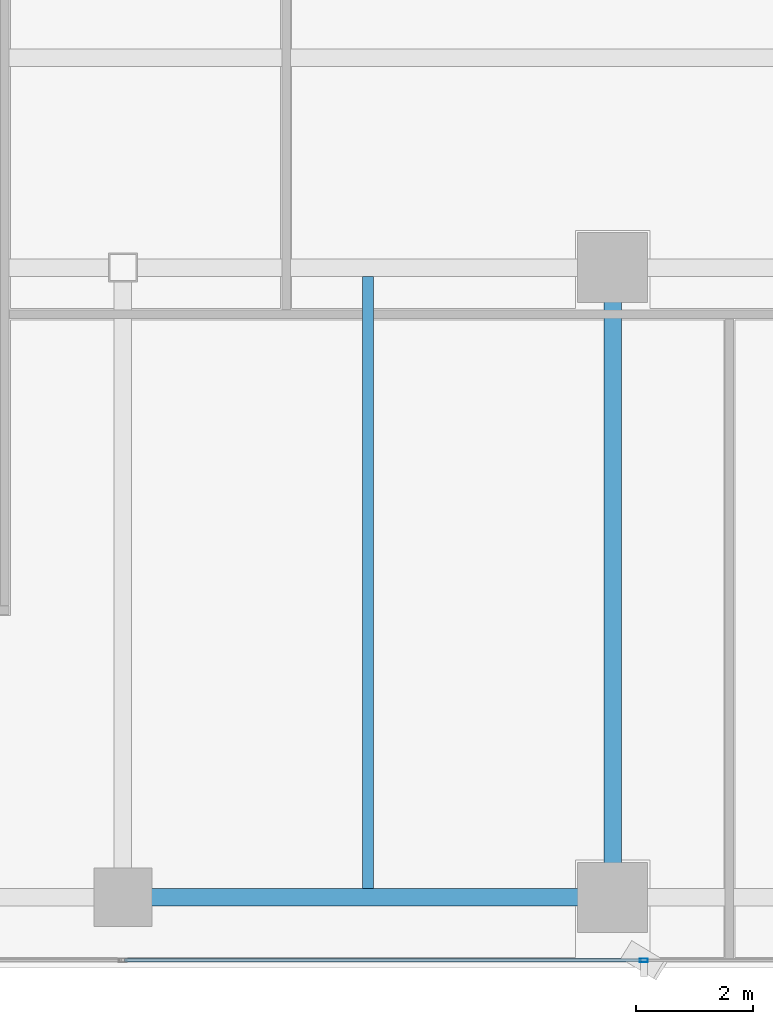
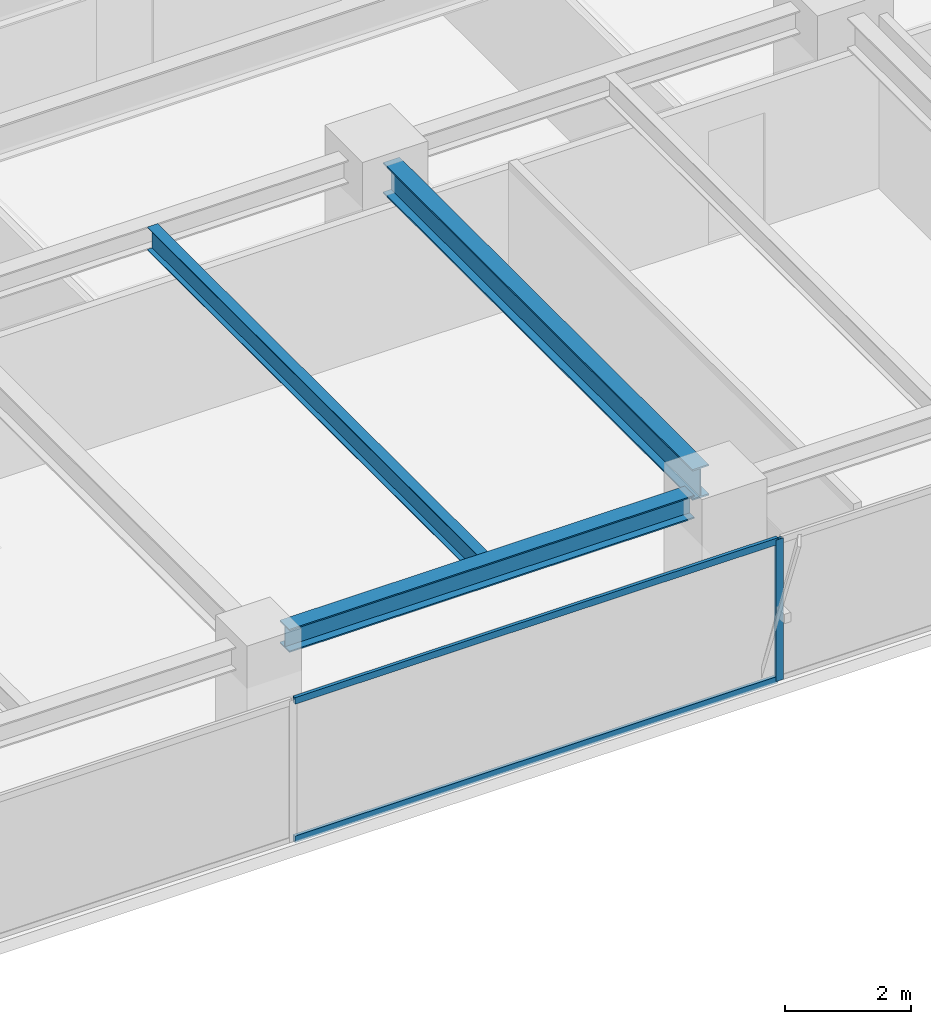
# One storey, part 7 of 26: 3 beams, 3 members, 1 element without a shape of its own.
"""IFC4 building model written with IfcOpenShell, lengths in metres."""

import ifcopenshell
import ifcopenshell.guid

model = None  # the IFC model being written
_history = None  # IfcOwnerHistory: only IFC2X3 demands one
_inside = {}  # id of a spatial element -> (the spatial element, [elements in it])
_under = {}  # id of a project, library or spatial element -> (it, [spatial elements below it])
_declared = {}  # id of a project -> (the project, [libraries it declares])
_typed = {}  # id of a type object -> (the type object, [elements of that type])
_made_of = {}  # id of a material, layer set ... -> (it, [elements and type objects made of it])


def new_model(schema):
    """Start an empty IFC model of exactly this schema.

    Asked for "IFC4X3", IfcOpenShell would pick the latest addendum, in which some entities
    have other attributes; the version numbers below select the first issue.
    IFC2X3 requires an IfcOwnerHistory on every rooted entity: one is made here for all.
    """
    global model, _history
    if schema == "IFC4X3":
        model = ifcopenshell.file(schema_version=(4, 3, 0, 0))
    else:
        model = ifcopenshell.file(schema=schema)
    _inside.clear()
    _under.clear()
    _declared.clear()
    _typed.clear()
    _made_of.clear()
    _history = None
    if model.schema == "IFC2X3":
        org = make("IfcOrganization", Name="unknown")
        user = make(
            "IfcPersonAndOrganization",
            ThePerson=make("IfcPerson", FamilyName="unknown"),
            TheOrganization=org,
        )
        app = make(
            "IfcApplication",
            ApplicationDeveloper=org,
            Version="unknown",
            ApplicationFullName="unknown",
            ApplicationIdentifier="unknown",
        )
        _history = make(
            "IfcOwnerHistory",
            OwningUser=user,
            OwningApplication=app,
            ChangeAction="ADDED",
            CreationDate=0,
        )
    return model


def make(cls, **values):
    """One entity of the class cls with the attributes given. An attribute that is None is left unset."""
    return model.create_entity(
        cls, **{name: value for name, value in values.items() if value is not None}
    )


def rooted(cls, **values):
    """An entity with a GlobalId (a new one), such as an element, a storey or a relation."""
    return make(cls, GlobalId=ifcopenshell.guid.new(), OwnerHistory=_history, **values)


def si_unit(unit_type, name, prefix=None):
    """IfcSIUnit, for example si_unit("LENGTHUNIT", "METRE", prefix="MILLI")."""
    return make("IfcSIUnit", UnitType=unit_type, Prefix=prefix, Name=name)


def assignment(units):
    """IfcUnitAssignment: the units of a project."""
    return None if units is None else make("IfcUnitAssignment", Units=units)


def point(xyz):
    """IfcCartesianPoint."""
    return None if xyz is None else make("IfcCartesianPoint", Coordinates=xyz)


def direction(xyz):
    """IfcDirection."""
    return None if xyz is None else make("IfcDirection", DirectionRatios=xyz)


def frame(location, z_axis=None, x_axis=None):
    """IfcAxis2Placement3D, a coordinate frame: its origin and axes. An axis left out is left unset."""
    return make(
        "IfcAxis2Placement3D",
        Location=point(location),
        Axis=direction(z_axis),
        RefDirection=direction(x_axis),
    )


def frame_2d(location, x_axis=None):
    """IfcAxis2Placement2D, a coordinate frame in the plane: its origin and x axis."""
    return make(
        "IfcAxis2Placement2D", Location=point(location), RefDirection=direction(x_axis)
    )


def origin():
    """The frame at (0, 0, 0) with its axes left unset."""
    return frame((0.0, 0.0, 0.0))


def origin_2d():
    """The frame at (0, 0) in the plane with its x axis left unset."""
    return frame_2d((0.0, 0.0))


def place(relative_to, where):
    """IfcLocalPlacement: puts the frame where relative to a parent placement (None: the world)."""
    return make(
        "IfcLocalPlacement", PlacementRelTo=relative_to, RelativePlacement=where
    )


def context(
    kind, dimensions, precision=None, world=None, true_north=None, identifier=None
):
    """IfcGeometricRepresentationContext, for example the 3D "Model" context."""
    return make(
        "IfcGeometricRepresentationContext",
        ContextIdentifier=identifier,
        ContextType=kind,
        CoordinateSpaceDimension=dimensions,
        Precision=precision,
        WorldCoordinateSystem=world,
        TrueNorth=true_north,
    )


def subcontext(parent, identifier, kind, view, scale=None):
    """IfcGeometricRepresentationSubContext, for example "Body" below "Model"."""
    return make(
        "IfcGeometricRepresentationSubContext",
        ContextIdentifier=identifier,
        ContextType=kind,
        ParentContext=parent,
        TargetScale=scale,
        TargetView=view,
    )


def project(units=None, contexts=None):
    """IfcProject with its units and contexts."""
    return rooted(
        "IfcProject",
        Name="project",
        RepresentationContexts=contexts,
        UnitsInContext=assignment(units),
    )


def spatial(cls, under=None, at=None, **own):
    """A site, building, storey or space (cls), placed at a placement, below another one or the project."""
    s = rooted(cls, ObjectPlacement=at, **own)
    if under is not None:
        _under.setdefault(under.id(), (under, []))[1].append(s)
    return s


def profile(cls, at=None, kind="AREA", **sizes):
    """A parametric profile (cls). Its sizes go by their IFC names, for example OverallWidth=200.0."""
    return make(cls, ProfileType=kind, Position=at, **sizes)


def hollow_rectangle(**sizes):
    """IfcRectangleHollowProfileDef."""
    return profile("IfcRectangleHollowProfileDef", **sizes)


def i_section(**sizes):
    """IfcIShapeProfileDef."""
    return profile("IfcIShapeProfileDef", **sizes)


def extrude(swept, where, along, depth):
    """IfcExtrudedAreaSolid: the profile swept, set in the frame where, extruded along a direction by depth."""
    return make(
        "IfcExtrudedAreaSolid",
        SweptArea=swept,
        Position=where,
        ExtrudedDirection=direction(along),
        Depth=depth,
    )


def shape(context_of_items, identifier, shape_type, items):
    """IfcShapeRepresentation: the items that make up one representation, for example the "Body"."""
    return make(
        "IfcShapeRepresentation",
        ContextOfItems=context_of_items,
        RepresentationIdentifier=identifier,
        RepresentationType=shape_type,
        Items=items,
    )


def source(mapping_origin, context_of_items, identifier, shape_type, items):
    """IfcRepresentationMap: a shape defined once, which mapped items show again and again."""
    return make(
        "IfcRepresentationMap",
        MappingOrigin=mapping_origin,
        MappedRepresentation=shape(context_of_items, identifier, shape_type, items),
    )


def transform(
    local_origin,
    x_axis=None,
    y_axis=None,
    z_axis=None,
    scale=None,
    scale2=None,
    scale3=None,
    uniform=True,
):
    """IfcCartesianTransformationOperator3D, or its non-uniform kind. x_axis, y_axis, z_axis: its Axis1, 2, 3."""
    if uniform:
        return make(
            "IfcCartesianTransformationOperator3D",
            Axis1=direction(x_axis),
            Axis2=direction(y_axis),
            LocalOrigin=point(local_origin),
            Scale=scale,
            Axis3=direction(z_axis),
        )
    return make(
        "IfcCartesianTransformationOperator3DnonUniform",
        Axis1=direction(x_axis),
        Axis2=direction(y_axis),
        LocalOrigin=point(local_origin),
        Scale=scale,
        Axis3=direction(z_axis),
        Scale2=scale2,
        Scale3=scale3,
    )


def mapped(mapping_source, mapping_target):
    """IfcMappedItem: shows the shape of a source again, moved by a transform."""
    return make(
        "IfcMappedItem", MappingSource=mapping_source, MappingTarget=mapping_target
    )


def material(Name=None, Category=None):
    """IfcMaterial."""
    return make("IfcMaterial", Name=Name, Category=Category)


def layer(
    of_material, thickness, ventilated=None, Name=None, Category=None, Priority=None
):
    """IfcMaterialLayer: one layer of a wall or slab, of a material (None: an air gap)."""
    return make(
        "IfcMaterialLayer",
        Material=of_material,
        LayerThickness=thickness,
        IsVentilated=ventilated,
        Name=Name,
        Category=Category,
        Priority=Priority,
    )


def layer_set(layers, Name=None):
    """IfcMaterialLayerSet."""
    return make("IfcMaterialLayerSet", MaterialLayers=layers, LayerSetName=Name)


def material_profile(
    of_material, cross_section, Name=None, Category=None, Priority=None
):
    """IfcMaterialProfile: a cross section and its material."""
    return make(
        "IfcMaterialProfile",
        Name=Name,
        Material=of_material,
        Profile=cross_section,
        Priority=Priority,
        Category=Category,
    )


def profile_set(profiles, Name=None, composite=None):
    """IfcMaterialProfileSet."""
    return make(
        "IfcMaterialProfileSet",
        Name=Name,
        MaterialProfiles=profiles,
        CompositeProfile=composite,
    )


def made_of(thing, what):
    """Note that an element or type object is made of a material, layer set ...; save() writes the relation."""
    if what is not None:
        _made_of.setdefault(what.id(), (what, []))[1].append(thing)
    return thing


def type_object(cls, material=None, **own):
    """A type object (cls), such as IfcWallType, which elements share."""
    return made_of(rooted(cls, **own), material)


def element(
    cls,
    number,
    at=None,
    inside=None,
    cuts=None,
    type_object=None,
    material=None,
    context=None,
    identifier="Body",
    shape_type=None,
    held_by="IfcProductDefinitionShape",
    body=None,
    shapes=None,
    **own,
):
    """One element of the class cls, such as IfcWall. Its Tag is "e" and its number.

    at: its placement. inside: the storey or other place that contains it. cuts: it is an
    opening in that element (IfcRelVoidsElement). A single representation is given by context,
    identifier, shape_type and body (its items); several are given by shapes. held_by: the class
    of the entity that holds the representations. save() writes the other relations.
    """
    e = rooted(cls, Tag="e%d" % number, ObjectPlacement=at, **own)
    if body is not None:
        shapes = [shape(context, identifier, shape_type, body)]
    if shapes is not None:
        e.Representation = make(held_by, Representations=shapes)
    if inside is not None:
        _inside.setdefault(inside.id(), (inside, []))[1].append(e)
    if cuts is not None:
        rooted(
            "IfcRelVoidsElement", RelatingBuildingElement=cuts, RelatedOpeningElement=e
        )
    if type_object is not None:
        _typed.setdefault(type_object.id(), (type_object, []))[1].append(e)
    return made_of(e, material)


def aggregate(whole, parts):
    """IfcRelAggregates: a whole, such as a stair, and the parts it consists of."""
    return rooted("IfcRelAggregates", RelatingObject=whole, RelatedObjects=parts)


def save(model, path):
    """Write the relations noted so far, then the file.

    IfcRelAggregates (storeys below a building ...), IfcRelContainedInSpatialStructure (elements
    in a storey), IfcRelDefinesByType, IfcRelAssociatesMaterial and IfcRelDeclares: one each for
    every whole, place, type object, material and project.
    """
    for whole, parts in _under.values():
        aggregate(whole, parts)
    for where, things in _inside.values():
        rooted(
            "IfcRelContainedInSpatialStructure",
            RelatedElements=things,
            RelatingStructure=where,
        )
    for kind, things in _typed.values():
        rooted("IfcRelDefinesByType", RelatedObjects=things, RelatingType=kind)
    for what, things in _made_of.values():
        rooted("IfcRelAssociatesMaterial", RelatedObjects=things, RelatingMaterial=what)
    for by, libraries in _declared.values():
        rooted("IfcRelDeclares", RelatingContext=by, RelatedDefinitions=libraries)
    model.write(path)


model = new_model("IFC4")

# Units and contexts
model_context = context("Model", 3, precision=1e-05, world=origin(), true_north=direction((0.0, 1.0)))
body_context = subcontext(model_context, "Body", "Model", "MODEL_VIEW")
ifc_project = project(units=[si_unit("LENGTHUNIT", "METRE"), si_unit("AREAUNIT", "SQUARE_METRE"), si_unit("VOLUMEUNIT", "CUBIC_METRE"), si_unit("PLANEANGLEUNIT", "RADIAN"), si_unit("MASSUNIT", "GRAM", prefix="KILO")], contexts=[model_context])

# Site, building, storey
site_placement = place(None, origin())
site = spatial("IfcSite", under=ifc_project, at=site_placement, CompositionType="ELEMENT")
building_placement = place(site_placement, origin())
building = spatial("IfcBuilding", under=site, at=building_placement, Name="Sumidabori Civic Tower", CompositionType="ELEMENT")
storey_placement = place(building_placement, frame((0.0, 0.0, 250.39990234375)))
storey = spatial("IfcBuildingStorey", under=building, at=storey_placement, Name="L65", CompositionType="ELEMENT", Elevation=250.39990234375)

# Beams
ifc_material_1 = material(Name="Steel SN490", Category="steel")
ifc_material_profile_1 = material_profile(ifc_material_1, i_section(OverallWidth=0.300048828125, OverallDepth=0.60009765625, WebThickness=0.015380859375, FlangeThickness=0.030029296875, at=origin_2d()), Name="HE 600 B")
ifc_profile_set_1 = profile_set([ifc_material_profile_1], Name="Steel SN490")
beam_type_1 = type_object("IfcBeamType", Name="BM-GIRD-600", PredefinedType="BEAM", material=ifc_profile_set_1)
shared_shape_1 = source(origin(), body_context, "Body", "SweptSolid", [
    extrude(i_section(OverallWidth=0.300048828125, OverallDepth=0.60009765625, WebThickness=0.015380859375, FlangeThickness=0.030029296875, at=origin_2d()), origin(), (0.0, 0.0, 1.0), 9.840087890625),
])
beam_1_placement = place(storey_placement, frame((8.39990234375, -10.320068359375, 3.070068359375), z_axis=(0.0, 1.0, 0.0), x_axis=(-1.0, 0.0, 0.0)))
element("IfcBeam", 1, at=beam_1_placement, inside=storey, type_object=beam_type_1, Name="Primary Girder L65 GY-14", PredefinedType="BEAM", context=body_context, shape_type="MappedRepresentation", body=[
    mapped(shared_shape_1, transform((0.0, 0.0, 0.0), x_axis=(1.0, 0.0, 0.0), y_axis=(0.0, 1.0, 0.0), z_axis=(0.0, 0.0, 1.0), scale=1.0)),
])
ifc_material_profile_2 = material_profile(ifc_material_1, i_section(OverallWidth=0.300048828125, OverallDepth=0.449951171875, WebThickness=0.013916015625, FlangeThickness=0.02587890625, at=origin_2d()), Name="HE 450 B")
ifc_profile_set_2 = profile_set([ifc_material_profile_2], Name="Steel SN490")
beam_type_2 = type_object("IfcBeamType", Name="BM-GIRD-450", PredefinedType="BEAM", material=ifc_profile_set_2)
shared_shape_2 = source(origin(), body_context, "Body", "SweptSolid", [
    extrude(i_section(OverallWidth=0.300048828125, OverallDepth=0.449951171875, WebThickness=0.013916015625, FlangeThickness=0.02587890625, at=origin_2d()), origin(), (0.0, 0.0, 1.0), 7.43994140625),
])
beam_2_placement = place(storey_placement, frame((0.47998046875, -10.800048828125, 3.14501953125), z_axis=(1.0, 0.0, 0.0), x_axis=(0.0, 1.0, 0.0)))
element("IfcBeam", 2, at=beam_2_placement, inside=storey, type_object=beam_type_2, Name="Primary Girder L65 GX-03", PredefinedType="BEAM", context=body_context, shape_type="MappedRepresentation", body=[
    mapped(shared_shape_2, transform((0.0, 0.0, 0.0), x_axis=(1.0, 0.0, 0.0), y_axis=(0.0, 1.0, 0.0), z_axis=(0.0, 0.0, 1.0), scale=1.0)),
])
ifc_material_profile_3 = material_profile(ifc_material_1, i_section(OverallWidth=0.18994140625, OverallDepth=0.449951171875, WebThickness=0.009521484375, FlangeThickness=0.0146484375, at=origin_2d()), Name="IPE 450")
ifc_profile_set_3 = profile_set([ifc_material_profile_3], Name="Steel SN490")
beam_type_3 = type_object("IfcBeamType", Name="BM-JST-450", PredefinedType="JOIST", material=ifc_profile_set_3)
shared_shape_3 = source(origin(), body_context, "Body", "SweptSolid", [
    extrude(i_section(OverallWidth=0.18994140625, OverallDepth=0.449951171875, WebThickness=0.009521484375, FlangeThickness=0.0146484375, at=origin_2d()), origin(), (0.0, 0.0, 1.0), 10.5),
])
beam_3_placement = place(storey_placement, frame((4.199951171875, -10.64990234375, 3.14501953125), z_axis=(0.0, 1.0, 0.0), x_axis=(-1.0, 0.0, 0.0)))
element("IfcBeam", 3, at=beam_3_placement, inside=storey, type_object=beam_type_3, Name="Upper Lens N-S Floor Joist L65 JSTV-22", PredefinedType="JOIST", context=body_context, shape_type="MappedRepresentation", body=[
    mapped(shared_shape_3, transform((0.0, 0.0, 0.0), x_axis=(1.0, 0.0, 0.0), y_axis=(0.0, 1.0, 0.0), z_axis=(0.0, 0.0, 1.0), scale=1.0)),
])

# Curtain wall, members
ifc_material_2 = material(Name="Anodised Bronze Aluminium AW-6063-T6", Category="aluminium")
ifc_layer = layer(ifc_material_2, 0.179931640625, Name="Anodised Bronze Aluminium AW-6063-T6")
ifc_layer_set = layer_set([ifc_layer], Name="Anodised Bronze Aluminium AW-6063-T6")
curtain_wall_type = type_object("IfcCurtainWallType", Name="CW-SYS-5", PredefinedType="NOTDEFINED", material=ifc_layer_set)
curtain_wall_placement = place(storey_placement, origin())
curtain_wall = element("IfcCurtainWall", 4, at=curtain_wall_placement, inside=storey, type_object=curtain_wall_type, Name="Curtain Wall CW:L65:R01", PredefinedType="NOTDEFINED")
ifc_material_profile_4 = material_profile(ifc_material_2, hollow_rectangle(XDim=0.06005859375, YDim=0.139892578125, WallThickness=0.0048828125, at=origin_2d()), Name="ALU MULLION 140x60")
ifc_profile_set_4 = profile_set([ifc_material_profile_4], Name="Anodised Bronze Aluminium AW-6063-T6")
member_type_1 = type_object("IfcMemberType", Name="CW-MUL-140", PredefinedType="MULLION", material=ifc_profile_set_4)
shared_shape_4 = source(origin(), body_context, "Body", "SweptSolid", [
    extrude(hollow_rectangle(XDim=0.06005859375, YDim=0.139892578125, WallThickness=0.0048828125, at=origin_2d()), origin(), (0.0, 0.0, 1.0), 2.75),
])
member_1_placement = place(storey_placement, frame((8.93505859375, -11.8798828125, 0.0), z_axis=(0.0, 0.0, 1.0), x_axis=(0.0, 1.0, 0.0)))
member_1 = element("IfcMember", 5, at=member_1_placement, type_object=member_type_1, Name="CW-5 mullion 4", PredefinedType="MULLION", context=body_context, shape_type="MappedRepresentation", body=[
    mapped(shared_shape_4, transform((0.0, 0.0, 0.0), x_axis=(1.0, 0.0, 0.0), y_axis=(0.0, 1.0, 0.0), z_axis=(0.0, 0.0, 1.0), scale=1.0)),
])
ifc_material_profile_5 = material_profile(ifc_material_2, hollow_rectangle(XDim=0.06005859375, YDim=0.1298828125, WallThickness=0.0048828125, at=origin_2d()), Name="ALU TRANSOM 130x60")
ifc_profile_set_5 = profile_set([ifc_material_profile_5], Name="Anodised Bronze Aluminium AW-6063-T6")
member_type_2 = type_object("IfcMemberType", Name="CW-TRN-130", PredefinedType="USERDEFINED", material=ifc_profile_set_5)
shared_shape_5 = source(origin(), body_context, "Body", "SweptSolid", [
    extrude(hollow_rectangle(XDim=0.06005859375, YDim=0.1298828125, WallThickness=0.0048828125, at=origin_2d()), origin(), (0.0, 0.0, 1.0), 8.875),
])
member_2_placement = place(storey_placement, frame((0.030029296875, -11.8798828125, 0.030029296875), z_axis=(1.0, 0.0, 0.0), x_axis=(0.0, 1.0, 0.0)))
member_2 = element("IfcMember", 6, at=member_2_placement, type_object=member_type_2, Name="CW-5 transom 3.1", ObjectType="TRANSOM", PredefinedType="USERDEFINED", context=body_context, shape_type="MappedRepresentation", body=[
    mapped(shared_shape_5, transform((0.0, 0.0, 0.0), x_axis=(1.0, 0.0, 0.0), y_axis=(0.0, 1.0, 0.0), z_axis=(0.0, 0.0, 1.0), scale=1.0)),
])
member_3_placement = place(storey_placement, frame((0.030029296875, -11.8798828125, 2.72021484375), z_axis=(1.0, 0.0, 0.0), x_axis=(0.0, 1.0, 0.0)))
member_3 = element("IfcMember", 7, at=member_3_placement, type_object=member_type_2, Name="CW-5 transom 3.2", ObjectType="TRANSOM", PredefinedType="USERDEFINED", context=body_context, shape_type="MappedRepresentation", body=[
    mapped(shared_shape_5, transform((0.0, 0.0, 0.0), x_axis=(1.0, 0.0, 0.0), y_axis=(0.0, 1.0, 0.0), z_axis=(0.0, 0.0, 1.0), scale=1.0)),
])
aggregate(curtain_wall, [member_1, member_2, member_3])

save(model, "model.ifc")
